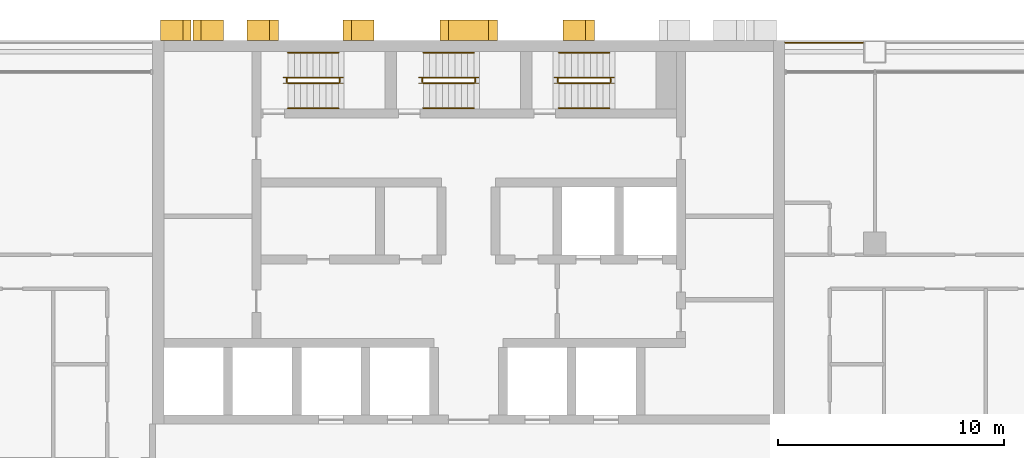
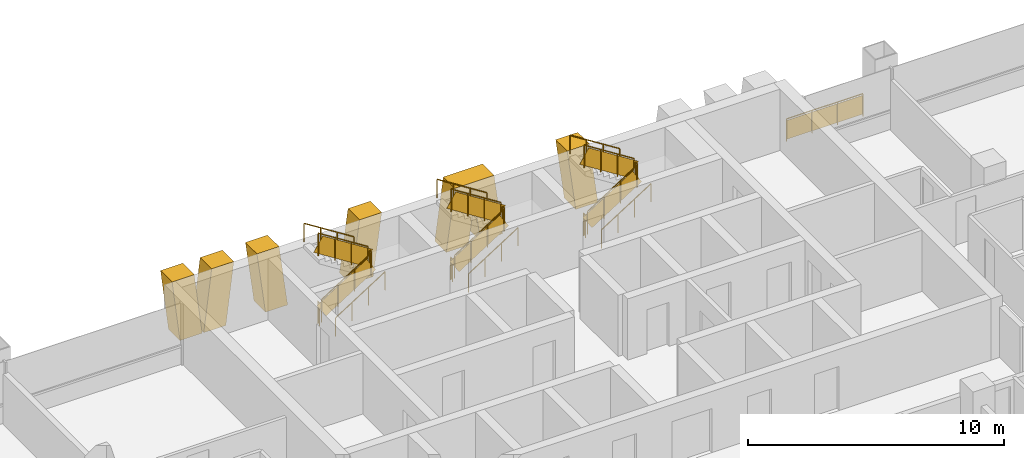
# One storey, part 18 of 19: 19 railings, 6 shading devices.
"""IFC4 building model written with IfcOpenShell, lengths in metres."""

from ifc_helpers import new_model, si_unit, direction, frame, origin, origin_2d, place, context, subcontext, project, spatial, polyline, rectangle, circle, outline, extrude, material, layer, layer_set, type_object, element, save


model = new_model("IFC4")

# Units and contexts
model_context = context("Model", 3, precision=1e-05, world=origin(), true_north=direction((0.0, 1.0)))
body_context = subcontext(model_context, "Body", "Model", "MODEL_VIEW")
ifc_project = project(units=[si_unit("LENGTHUNIT", "METRE"), si_unit("AREAUNIT", "SQUARE_METRE"), si_unit("VOLUMEUNIT", "CUBIC_METRE"), si_unit("PLANEANGLEUNIT", "RADIAN"), si_unit("MASSUNIT", "GRAM", prefix="KILO")], contexts=[model_context])

# Site, building, storey
site_placement = place(None, origin())
site = spatial("IfcSite", under=ifc_project, at=site_placement, CompositionType="ELEMENT")
building_placement = place(site_placement, origin())
building = spatial("IfcBuilding", under=site, at=building_placement, Name="Vidyagriha Tower", CompositionType="ELEMENT")
storey_placement = place(building_placement, frame((0.0, 0.0, 57.60009765625)))
storey = spatial("IfcBuildingStorey", under=building, at=storey_placement, Name="L15", CompositionType="ELEMENT", Elevation=57.60009765625)

# Shading devices
ifc_material_1 = material(Name="Precast concrete C40/50 with brick facing", Category="concrete")
ifc_layer_1 = layer(ifc_material_1, 1.0)
ifc_layer_set_1 = layer_set([ifc_layer_1], Name="Precast concrete C40/50 with brick facing")
shading_device_type_1 = type_object("IfcShadingDeviceType", Name="Brick-faced rear rib arm leaning 8 degrees", PredefinedType="USERDEFINED", material=ifc_layer_set_1)
for number, where, z_axis, x_axis, name in (
    (1, (5.5712890625, 20.449951171875, 0.0), (0.0, 0.0, 1.0), (-1.0, 0.0, 0.0), "Rear rib arm L15 R08.2a"),
    (2, (-8.4287109375, 20.449951171875, 0.0), (0.0, 0.0, 1.0), (-1.0, 0.0, 0.0), "Rear rib arm L15 R08.4a"),
):
    element("IfcShadingDevice", number, at=place(storey_placement, frame(where, z_axis=z_axis, x_axis=x_axis)), inside=storey, type_object=shading_device_type_1, Name=name, ObjectType="BLADE FIN", PredefinedType="USERDEFINED", context=body_context, shape_type="SweptSolid", body=[
        extrude(outline(polyline([(0.0, 0.0), (1.0, 0.0), (1.3857421875, 2.919921875), (0.3857421875, 2.919921875), (0.0, 0.0)])), frame((0.0, 0.449951171875, 0.0), z_axis=(0.0, -1.0, 0.0), x_axis=(1.0, 0.0, 0.0)), (0.0, 0.0, 1.0), 0.89990234375),
    ])
shading_device_1_placement = place(storey_placement, frame((-4.185791015625, 20.449951171875, 0.0), z_axis=(0.0, 0.0, 1.0), x_axis=(-1.0, 0.0, 0.0)))
element("IfcShadingDevice", 3, at=shading_device_1_placement, inside=storey, type_object=shading_device_type_1, Name="Rear rib arm L15 R08.4b", ObjectType="BLADE FIN", PredefinedType="USERDEFINED", context=body_context, shape_type="SweptSolid", body=[
    extrude(outline(polyline([(0.3857421875, 0.0), (1.3857421875, 0.0), (1.0, 2.919921875), (0.0, 2.919921875), (0.3857421875, 0.0)])), frame((0.0, 0.449951171875, 0.0), z_axis=(0.0, -1.0, 0.0), x_axis=(1.0, 0.0, 0.0)), (0.0, 0.0, 1.0), 0.89990234375),
])
shading_device_2_placement = place(storey_placement, frame((-12.28564453125, 20.449951171875, 0.0), z_axis=(0.0, 0.0, 1.0), x_axis=(-1.0, 0.0, 0.0)))
element("IfcShadingDevice", 4, at=shading_device_2_placement, inside=storey, type_object=shading_device_type_1, Name="Rear rib arm L15 R08.5a", ObjectType="BLADE FIN", PredefinedType="USERDEFINED", context=body_context, shape_type="SweptSolid", body=[
    extrude(outline(polyline([(0.0, 0.0), (1.0, 0.0), (1.357177734375, 2.919921875), (0.357177734375, 2.919921875), (0.0, 0.0)])), frame((0.0, 0.449951171875, 0.0), z_axis=(0.0, -1.0, 0.0), x_axis=(1.0, 0.0, 0.0)), (0.0, 0.0, 1.0), 0.89990234375),
])
shading_device_3_placement = place(storey_placement, frame((-10.857177734375, 20.449951171875, 0.0), z_axis=(0.0, 0.0, 1.0), x_axis=(-1.0, 0.0, 0.0)))
element("IfcShadingDevice", 5, at=shading_device_3_placement, inside=storey, type_object=shading_device_type_1, Name="Rear rib arm L15 R08.5b", ObjectType="BLADE FIN", PredefinedType="USERDEFINED", context=body_context, shape_type="SweptSolid", body=[
    extrude(outline(polyline([(0.357177734375, 0.0), (1.357177734375, 0.0), (1.0, 2.919921875), (0.0, 2.919921875), (0.357177734375, 0.0)])), frame((0.0, 0.449951171875, 0.0), z_axis=(0.0, -1.0, 0.0), x_axis=(1.0, 0.0, 0.0)), (0.0, 0.0, 1.0), 0.89990234375),
])
ifc_material_2 = material(Name="Precast concrete C40/50 with brick facing", Category="concrete")
ifc_layer_2 = layer(ifc_material_2, 1.0)
ifc_layer_set_2 = layer_set([ifc_layer_2], Name="Precast concrete C40/50 with brick facing")
shading_device_type_2 = type_object("IfcShadingDeviceType", Name="Brick-faced rear rib forking 8 degrees", PredefinedType="USERDEFINED", material=ifc_layer_set_2)
shading_device_4_placement = place(storey_placement, frame((1.271484375, 20.449951171875, 0.0), z_axis=(0.0, 0.0, 1.0), x_axis=(-1.0, 0.0, 0.0)))
element("IfcShadingDevice", 6, at=shading_device_4_placement, inside=storey, type_object=shading_device_type_2, Name="Rear rib fork L15 R08.3a", ObjectType="BLADE FIN", PredefinedType="USERDEFINED", context=body_context, shape_type="SweptSolid", body=[
    extrude(outline(polyline([(1.0, 0.0), (1.271484375, 2.0546875), (1.542724609375, 0.0), (2.542724609375, 0.0), (2.156982421875, 2.919921875), (0.3857421875, 2.919921875), (0.0, 0.0), (1.0, 0.0)])), frame((0.0, 0.449951171875, 0.0), z_axis=(0.0, -1.0, 0.0), x_axis=(1.0, 0.0, 0.0)), (0.0, 0.0, 1.0), 0.89990234375),
])

# Railings
ifc_material_3 = material(Name="Steel ASTM A500 Grade C black painted", Category="steel")
railing_type_1 = type_object("IfcRailingType", Name="Gallery guard 1100", PredefinedType="GUARDRAIL", material=ifc_material_3)
railing_1_placement = place(storey_placement, frame((14.030029296875, 19.89990234375, 0.0)))
element("IfcRailing", 7, at=railing_1_placement, inside=storey, type_object=railing_type_1, Name="Gallery guard L15 10", PredefinedType="GUARDRAIL", context=body_context, shape_type="SweptSolid", body=[
    extrude(circle(Radius=0.02490234375, at=origin_2d()), frame((0.0, 0.0, 1.0751953125), z_axis=(1.0, 0.0, 0.0), x_axis=(0.0, 1.0, 0.0)), (0.0, 0.0, 1.0), 3.43994140625),
    extrude(circle(Radius=0.02001953125, at=origin_2d()), origin(), (0.0, 0.0, 1.0), 1.050048828125),
    extrude(circle(Radius=0.02001953125, at=origin_2d()), frame((1.146728515625, 0.0, 0.0)), (0.0, 0.0, 1.0), 1.050048828125),
    extrude(circle(Radius=0.02001953125, at=origin_2d()), frame((2.293212890625, 0.0, 0.0)), (0.0, 0.0, 1.0), 1.050048828125),
    extrude(circle(Radius=0.02001953125, at=origin_2d()), frame((3.43994140625, 0.0, 0.0)), (0.0, 0.0, 1.0), 1.050048828125),
    extrude(rectangle(XDim=0.010009765625, YDim=0.900146484375, at=origin_2d()), frame((0.0, 0.0, 0.550048828125), z_axis=(1.0, 0.0, 0.0), x_axis=(0.0, 1.0, 0.0)), (0.0, 0.0, 1.0), 3.43994140625),
])
ifc_material_4 = material(Name="Steel ASTM A500 Grade C", Category="steel")
railing_type_2 = type_object("IfcRailingType", Name="Stair guard 1100 mm, steel balustrade", PredefinedType="GUARDRAIL", material=ifc_material_4)
railing_2_placement = place(storey_placement, frame((-8.0, 18.10009765625, 0.177734375)))
element("IfcRailing", 8, at=railing_2_placement, inside=storey, type_object=railing_type_2, Name="L15 ST1 stair guard 1", PredefinedType="GUARDRAIL", context=body_context, shape_type="SweptSolid", body=[
    extrude(circle(Radius=0.02392578125, at=origin_2d()), frame((0.0, 0.0, 1.076171875), z_axis=(0.8442293374, 0.0, 0.53598211339), x_axis=(0.0, 1.0, 0.0)), (0.0, 0.0, 1.0), 2.6533203125),
    extrude(circle(Radius=0.02099609375, at=origin_2d()), origin(), (0.0, 0.0, 1.0), 1.052001953125),
    extrude(circle(Radius=0.02099609375, at=origin_2d()), frame((0.74658203125, 0.0, 0.47412109375)), (0.0, 0.0, 1.0), 1.052001953125),
    extrude(circle(Radius=0.02099609375, at=origin_2d()), frame((1.493408203125, 0.0, 0.947998046875)), (0.0, 0.0, 1.0), 1.052001953125),
    extrude(circle(Radius=0.02099609375, at=origin_2d()), frame((2.239990234375, 0.0, 1.422119140625)), (0.0, 0.0, 1.0), 1.052001953125),
    extrude(rectangle(XDim=0.010009765625, YDim=0.761474609375, at=origin_2d()), frame((0.0, 0.0, 0.551025390625), z_axis=(0.8442293374, 0.0, 0.53598211339), x_axis=(0.0, 1.0, 0.0)), (0.0, 0.0, 1.0), 2.6533203125),
])
railing_3_placement = place(storey_placement, frame((-5.7099609375, 18.14990234375, 1.599853515625)))
element("IfcRailing", 9, at=railing_3_placement, inside=storey, type_object=railing_type_2, Name="L15 ST1 stair guard 2", PredefinedType="GUARDRAIL", context=body_context, shape_type="SweptSolid", body=[
    extrude(circle(Radius=0.02392578125, at=origin_2d()), frame((0.0, 0.0, 1.076171875), z_axis=(0.0, 1.0, 0.0), x_axis=(-1.0, 0.0, 0.0)), (0.0, 0.0, 1.0), 0.150146484375),
    extrude(circle(Radius=0.02099609375, at=origin_2d()), origin(), (0.0, 0.0, 1.0), 1.052001953125),
    extrude(circle(Radius=0.02099609375, at=origin_2d()), frame((0.0, 0.150146484375, 0.0)), (0.0, 0.0, 1.0), 1.052001953125),
    extrude(rectangle(XDim=0.010009765625, YDim=0.902099609375, at=origin_2d()), frame((0.0, 0.0, 0.551025390625), z_axis=(0.0, 1.0, 0.0), x_axis=(-1.0, 0.0, 0.0)), (0.0, 0.0, 1.0), 0.150146484375),
])
railing_4_placement = place(storey_placement, frame((-5.760009765625, 18.35009765625, 1.777587890625)))
element("IfcRailing", 10, at=railing_4_placement, inside=storey, type_object=railing_type_2, Name="L15 ST1 stair guard 3", PredefinedType="GUARDRAIL", context=body_context, shape_type="SweptSolid", body=[
    extrude(circle(Radius=0.02392578125, at=origin_2d()), frame((0.0, 0.0, 1.076171875), z_axis=(-0.84418770128, 0.0, 0.536047689118), x_axis=(0.0, -1.0, 0.0)), (0.0, 0.0, 1.0), 2.6533203125),
    extrude(circle(Radius=0.02099609375, at=origin_2d()), origin(), (0.0, 0.0, 1.0), 1.052001953125),
    extrude(circle(Radius=0.02099609375, at=origin_2d()), frame((-0.74658203125, 0.0, 0.47412109375)), (0.0, 0.0, 1.0), 1.052001953125),
    extrude(circle(Radius=0.02099609375, at=origin_2d()), frame((-1.493408203125, 0.0, 0.9482421875)), (0.0, 0.0, 1.0), 1.052001953125),
    extrude(circle(Radius=0.02099609375, at=origin_2d()), frame((-2.239990234375, 0.0, 1.42236328125)), (0.0, 0.0, 1.0), 1.052001953125),
    extrude(rectangle(XDim=0.010009765625, YDim=0.761474609375, at=origin_2d()), frame((0.0, 0.0, 0.551025390625), z_axis=(-0.84418770128, 0.0, 0.536047689118), x_axis=(0.0, -1.0, 0.0)), (0.0, 0.0, 1.0), 2.6533203125),
])
railing_5_placement = place(storey_placement, frame((-8.050048828125, 18.14990234375, 0.0)))
element("IfcRailing", 11, at=railing_5_placement, inside=storey, type_object=railing_type_2, Name="L15 ST1 stair guard 4", PredefinedType="GUARDRAIL", context=body_context, shape_type="SweptSolid", body=[
    extrude(circle(Radius=0.02392578125, at=origin_2d()), frame((0.0, 0.0, 1.076171875), z_axis=(0.0, 1.0, 0.0), x_axis=(-1.0, 0.0, 0.0)), (0.0, 0.0, 1.0), 0.150146484375),
    extrude(circle(Radius=0.02099609375, at=origin_2d()), origin(), (0.0, 0.0, 1.0), 1.052001953125),
    extrude(circle(Radius=0.02099609375, at=origin_2d()), frame((0.0, 0.150146484375, 0.0)), (0.0, 0.0, 1.0), 1.052001953125),
    extrude(rectangle(XDim=0.010009765625, YDim=0.902099609375, at=origin_2d()), frame((0.0, 0.0, 0.551025390625), z_axis=(0.0, 1.0, 0.0), x_axis=(-1.0, 0.0, 0.0)), (0.0, 0.0, 1.0), 0.150146484375),
])
railing_6_placement = place(storey_placement, frame((-2.0, 18.10009765625, 0.177734375)))
element("IfcRailing", 12, at=railing_6_placement, inside=storey, type_object=railing_type_2, Name="L15 ST2 stair guard 1", PredefinedType="GUARDRAIL", context=body_context, shape_type="SweptSolid", body=[
    extrude(circle(Radius=0.02392578125, at=origin_2d()), frame((0.0, 0.0, 1.076171875), z_axis=(0.8442293374, 0.0, 0.53598211339), x_axis=(0.0, 1.0, 0.0)), (0.0, 0.0, 1.0), 2.6533203125),
    extrude(circle(Radius=0.02099609375, at=origin_2d()), origin(), (0.0, 0.0, 1.0), 1.052001953125),
    extrude(circle(Radius=0.02099609375, at=origin_2d()), frame((0.74658203125, 0.0, 0.47412109375)), (0.0, 0.0, 1.0), 1.052001953125),
    extrude(circle(Radius=0.02099609375, at=origin_2d()), frame((1.493408203125, 0.0, 0.947998046875)), (0.0, 0.0, 1.0), 1.052001953125),
    extrude(circle(Radius=0.02099609375, at=origin_2d()), frame((2.239990234375, 0.0, 1.422119140625)), (0.0, 0.0, 1.0), 1.052001953125),
    extrude(rectangle(XDim=0.010009765625, YDim=0.761474609375, at=origin_2d()), frame((0.0, 0.0, 0.551025390625), z_axis=(0.8442293374, 0.0, 0.53598211339), x_axis=(0.0, 1.0, 0.0)), (0.0, 0.0, 1.0), 2.6533203125),
])
railing_7_placement = place(storey_placement, frame((0.2900390625, 18.14990234375, 1.599853515625)))
element("IfcRailing", 13, at=railing_7_placement, inside=storey, type_object=railing_type_2, Name="L15 ST2 stair guard 2", PredefinedType="GUARDRAIL", context=body_context, shape_type="SweptSolid", body=[
    extrude(circle(Radius=0.02392578125, at=origin_2d()), frame((0.0, 0.0, 1.076171875), z_axis=(0.0, 1.0, 0.0), x_axis=(-1.0, 0.0, 0.0)), (0.0, 0.0, 1.0), 0.150146484375),
    extrude(circle(Radius=0.02099609375, at=origin_2d()), origin(), (0.0, 0.0, 1.0), 1.052001953125),
    extrude(circle(Radius=0.02099609375, at=origin_2d()), frame((0.0, 0.150146484375, 0.0)), (0.0, 0.0, 1.0), 1.052001953125),
    extrude(rectangle(XDim=0.010009765625, YDim=0.902099609375, at=origin_2d()), frame((0.0, 0.0, 0.551025390625), z_axis=(0.0, 1.0, 0.0), x_axis=(-1.0, 0.0, 0.0)), (0.0, 0.0, 1.0), 0.150146484375),
])
railing_8_placement = place(storey_placement, frame((0.239990234375, 18.35009765625, 1.777587890625)))
element("IfcRailing", 14, at=railing_8_placement, inside=storey, type_object=railing_type_2, Name="L15 ST2 stair guard 3", PredefinedType="GUARDRAIL", context=body_context, shape_type="SweptSolid", body=[
    extrude(circle(Radius=0.02392578125, at=origin_2d()), frame((0.0, 0.0, 1.076171875), z_axis=(-0.84418770128, 0.0, 0.536047689118), x_axis=(0.0, -1.0, 0.0)), (0.0, 0.0, 1.0), 2.6533203125),
    extrude(circle(Radius=0.02099609375, at=origin_2d()), origin(), (0.0, 0.0, 1.0), 1.052001953125),
    extrude(circle(Radius=0.02099609375, at=origin_2d()), frame((-0.74658203125, 0.0, 0.47412109375)), (0.0, 0.0, 1.0), 1.052001953125),
    extrude(circle(Radius=0.02099609375, at=origin_2d()), frame((-1.493408203125, 0.0, 0.9482421875)), (0.0, 0.0, 1.0), 1.052001953125),
    extrude(circle(Radius=0.02099609375, at=origin_2d()), frame((-2.239990234375, 0.0, 1.42236328125)), (0.0, 0.0, 1.0), 1.052001953125),
    extrude(rectangle(XDim=0.010009765625, YDim=0.761474609375, at=origin_2d()), frame((0.0, 0.0, 0.551025390625), z_axis=(-0.84418770128, 0.0, 0.536047689118), x_axis=(0.0, -1.0, 0.0)), (0.0, 0.0, 1.0), 2.6533203125),
])
railing_9_placement = place(storey_placement, frame((-2.050048828125, 18.14990234375, 0.0)))
element("IfcRailing", 15, at=railing_9_placement, inside=storey, type_object=railing_type_2, Name="L15 ST2 stair guard 4", PredefinedType="GUARDRAIL", context=body_context, shape_type="SweptSolid", body=[
    extrude(circle(Radius=0.02392578125, at=origin_2d()), frame((0.0, 0.0, 1.076171875), z_axis=(0.0, 1.0, 0.0), x_axis=(-1.0, 0.0, 0.0)), (0.0, 0.0, 1.0), 0.150146484375),
    extrude(circle(Radius=0.02099609375, at=origin_2d()), origin(), (0.0, 0.0, 1.0), 1.052001953125),
    extrude(circle(Radius=0.02099609375, at=origin_2d()), frame((0.0, 0.150146484375, 0.0)), (0.0, 0.0, 1.0), 1.052001953125),
    extrude(rectangle(XDim=0.010009765625, YDim=0.902099609375, at=origin_2d()), frame((0.0, 0.0, 0.551025390625), z_axis=(0.0, 1.0, 0.0), x_axis=(-1.0, 0.0, 0.0)), (0.0, 0.0, 1.0), 0.150146484375),
])
railing_10_placement = place(storey_placement, frame((4.0, 18.10009765625, 0.177734375)))
element("IfcRailing", 16, at=railing_10_placement, inside=storey, type_object=railing_type_2, Name="L15 ST3 stair guard 1", PredefinedType="GUARDRAIL", context=body_context, shape_type="SweptSolid", body=[
    extrude(circle(Radius=0.02392578125, at=origin_2d()), frame((0.0, 0.0, 1.076171875), z_axis=(0.8442293374, 0.0, 0.53598211339), x_axis=(0.0, 1.0, 0.0)), (0.0, 0.0, 1.0), 2.6533203125),
    extrude(circle(Radius=0.02099609375, at=origin_2d()), origin(), (0.0, 0.0, 1.0), 1.052001953125),
    extrude(circle(Radius=0.02099609375, at=origin_2d()), frame((0.74658203125, 0.0, 0.47412109375)), (0.0, 0.0, 1.0), 1.052001953125),
    extrude(circle(Radius=0.02099609375, at=origin_2d()), frame((1.493408203125, 0.0, 0.947998046875)), (0.0, 0.0, 1.0), 1.052001953125),
    extrude(circle(Radius=0.02099609375, at=origin_2d()), frame((2.239990234375, 0.0, 1.422119140625)), (0.0, 0.0, 1.0), 1.052001953125),
    extrude(rectangle(XDim=0.010009765625, YDim=0.761474609375, at=origin_2d()), frame((0.0, 0.0, 0.551025390625), z_axis=(0.8442293374, 0.0, 0.53598211339), x_axis=(0.0, 1.0, 0.0)), (0.0, 0.0, 1.0), 2.6533203125),
])
railing_11_placement = place(storey_placement, frame((6.2900390625, 18.14990234375, 1.599853515625)))
element("IfcRailing", 17, at=railing_11_placement, inside=storey, type_object=railing_type_2, Name="L15 ST3 stair guard 2", PredefinedType="GUARDRAIL", context=body_context, shape_type="SweptSolid", body=[
    extrude(circle(Radius=0.02392578125, at=origin_2d()), frame((0.0, 0.0, 1.076171875), z_axis=(0.0, 1.0, 0.0), x_axis=(-1.0, 0.0, 0.0)), (0.0, 0.0, 1.0), 0.150146484375),
    extrude(circle(Radius=0.02099609375, at=origin_2d()), origin(), (0.0, 0.0, 1.0), 1.052001953125),
    extrude(circle(Radius=0.02099609375, at=origin_2d()), frame((0.0, 0.150146484375, 0.0)), (0.0, 0.0, 1.0), 1.052001953125),
    extrude(rectangle(XDim=0.010009765625, YDim=0.902099609375, at=origin_2d()), frame((0.0, 0.0, 0.551025390625), z_axis=(0.0, 1.0, 0.0), x_axis=(-1.0, 0.0, 0.0)), (0.0, 0.0, 1.0), 0.150146484375),
])
railing_12_placement = place(storey_placement, frame((6.239990234375, 18.35009765625, 1.777587890625)))
element("IfcRailing", 18, at=railing_12_placement, inside=storey, type_object=railing_type_2, Name="L15 ST3 stair guard 3", PredefinedType="GUARDRAIL", context=body_context, shape_type="SweptSolid", body=[
    extrude(circle(Radius=0.02392578125, at=origin_2d()), frame((0.0, 0.0, 1.076171875), z_axis=(-0.84418770128, 0.0, 0.536047689118), x_axis=(0.0, -1.0, 0.0)), (0.0, 0.0, 1.0), 2.6533203125),
    extrude(circle(Radius=0.02099609375, at=origin_2d()), origin(), (0.0, 0.0, 1.0), 1.052001953125),
    extrude(circle(Radius=0.02099609375, at=origin_2d()), frame((-0.74658203125, 0.0, 0.47412109375)), (0.0, 0.0, 1.0), 1.052001953125),
    extrude(circle(Radius=0.02099609375, at=origin_2d()), frame((-1.493408203125, 0.0, 0.9482421875)), (0.0, 0.0, 1.0), 1.052001953125),
    extrude(circle(Radius=0.02099609375, at=origin_2d()), frame((-2.239990234375, 0.0, 1.42236328125)), (0.0, 0.0, 1.0), 1.052001953125),
    extrude(rectangle(XDim=0.010009765625, YDim=0.761474609375, at=origin_2d()), frame((0.0, 0.0, 0.551025390625), z_axis=(-0.84418770128, 0.0, 0.536047689118), x_axis=(0.0, -1.0, 0.0)), (0.0, 0.0, 1.0), 2.6533203125),
])
railing_13_placement = place(storey_placement, frame((3.949951171875, 18.14990234375, 0.0)))
element("IfcRailing", 19, at=railing_13_placement, inside=storey, type_object=railing_type_2, Name="L15 ST3 stair guard 4", PredefinedType="GUARDRAIL", context=body_context, shape_type="SweptSolid", body=[
    extrude(circle(Radius=0.02392578125, at=origin_2d()), frame((0.0, 0.0, 1.076171875), z_axis=(0.0, 1.0, 0.0), x_axis=(-1.0, 0.0, 0.0)), (0.0, 0.0, 1.0), 0.150146484375),
    extrude(circle(Radius=0.02099609375, at=origin_2d()), origin(), (0.0, 0.0, 1.0), 1.052001953125),
    extrude(circle(Radius=0.02099609375, at=origin_2d()), frame((0.0, 0.150146484375, 0.0)), (0.0, 0.0, 1.0), 1.052001953125),
    extrude(rectangle(XDim=0.010009765625, YDim=0.902099609375, at=origin_2d()), frame((0.0, 0.0, 0.551025390625), z_axis=(0.0, 1.0, 0.0), x_axis=(-1.0, 0.0, 0.0)), (0.0, 0.0, 1.0), 0.150146484375),
])
ifc_material_5 = material(Name="Steel ASTM A500 Grade C", Category="steel")
railing_type_3 = type_object("IfcRailingType", Name="Stair handrail 900 mm, steel", PredefinedType="HANDRAIL", material=ifc_material_5)
railing_14_placement = place(storey_placement, frame((-8.0, 17.0, 0.177734375)))
element("IfcRailing", 20, at=railing_14_placement, inside=storey, type_object=railing_type_3, Name="L15 ST1 stair handrail 1", PredefinedType="HANDRAIL", context=body_context, shape_type="SweptSolid", body=[
    extrude(circle(Radius=0.02392578125, at=origin_2d()), frame((0.0, 0.0, 0.8759765625), z_axis=(0.8442293374, 0.0, 0.53598211339), x_axis=(0.0, 1.0, 0.0)), (0.0, 0.0, 1.0), 2.6533203125),
    extrude(circle(Radius=0.02099609375, at=origin_2d()), origin(), (0.0, 0.0, 1.0), 0.851806640625),
    extrude(circle(Radius=0.02099609375, at=origin_2d()), frame((0.74658203125, 0.0, 0.47412109375)), (0.0, 0.0, 1.0), 0.851806640625),
    extrude(circle(Radius=0.02099609375, at=origin_2d()), frame((1.493408203125, 0.0, 0.947998046875)), (0.0, 0.0, 1.0), 0.851806640625),
    extrude(circle(Radius=0.02099609375, at=origin_2d()), frame((2.239990234375, 0.0, 1.422119140625)), (0.0, 0.0, 1.0), 0.851806640625),
])
railing_15_placement = place(storey_placement, frame((-5.760009765625, 19.449951171875, 1.777587890625)))
element("IfcRailing", 21, at=railing_15_placement, inside=storey, type_object=railing_type_3, Name="L15 ST1 stair handrail 2", PredefinedType="HANDRAIL", context=body_context, shape_type="SweptSolid", body=[
    extrude(circle(Radius=0.02392578125, at=origin_2d()), frame((0.0, 0.0, 0.8759765625), z_axis=(-0.84418770128, 0.0, 0.536047689118), x_axis=(0.0, -1.0, 0.0)), (0.0, 0.0, 1.0), 2.6533203125),
    extrude(circle(Radius=0.02099609375, at=origin_2d()), origin(), (0.0, 0.0, 1.0), 0.851806640625),
    extrude(circle(Radius=0.02099609375, at=origin_2d()), frame((-0.74658203125, 0.0, 0.47412109375)), (0.0, 0.0, 1.0), 0.851806640625),
    extrude(circle(Radius=0.02099609375, at=origin_2d()), frame((-1.493408203125, 0.0, 0.9482421875)), (0.0, 0.0, 1.0), 0.851806640625),
    extrude(circle(Radius=0.02099609375, at=origin_2d()), frame((-2.239990234375, 0.0, 1.42236328125)), (0.0, 0.0, 1.0), 0.851806640625),
])
railing_16_placement = place(storey_placement, frame((-2.0, 17.0, 0.177734375)))
element("IfcRailing", 22, at=railing_16_placement, inside=storey, type_object=railing_type_3, Name="L15 ST2 stair handrail 1", PredefinedType="HANDRAIL", context=body_context, shape_type="SweptSolid", body=[
    extrude(circle(Radius=0.02392578125, at=origin_2d()), frame((0.0, 0.0, 0.8759765625), z_axis=(0.8442293374, 0.0, 0.53598211339), x_axis=(0.0, 1.0, 0.0)), (0.0, 0.0, 1.0), 2.6533203125),
    extrude(circle(Radius=0.02099609375, at=origin_2d()), origin(), (0.0, 0.0, 1.0), 0.851806640625),
    extrude(circle(Radius=0.02099609375, at=origin_2d()), frame((0.74658203125, 0.0, 0.47412109375)), (0.0, 0.0, 1.0), 0.851806640625),
    extrude(circle(Radius=0.02099609375, at=origin_2d()), frame((1.493408203125, 0.0, 0.947998046875)), (0.0, 0.0, 1.0), 0.851806640625),
    extrude(circle(Radius=0.02099609375, at=origin_2d()), frame((2.239990234375, 0.0, 1.422119140625)), (0.0, 0.0, 1.0), 0.851806640625),
])
railing_17_placement = place(storey_placement, frame((0.239990234375, 19.449951171875, 1.777587890625)))
element("IfcRailing", 23, at=railing_17_placement, inside=storey, type_object=railing_type_3, Name="L15 ST2 stair handrail 2", PredefinedType="HANDRAIL", context=body_context, shape_type="SweptSolid", body=[
    extrude(circle(Radius=0.02392578125, at=origin_2d()), frame((0.0, 0.0, 0.8759765625), z_axis=(-0.84418770128, 0.0, 0.536047689118), x_axis=(0.0, -1.0, 0.0)), (0.0, 0.0, 1.0), 2.6533203125),
    extrude(circle(Radius=0.02099609375, at=origin_2d()), origin(), (0.0, 0.0, 1.0), 0.851806640625),
    extrude(circle(Radius=0.02099609375, at=origin_2d()), frame((-0.74658203125, 0.0, 0.47412109375)), (0.0, 0.0, 1.0), 0.851806640625),
    extrude(circle(Radius=0.02099609375, at=origin_2d()), frame((-1.493408203125, 0.0, 0.9482421875)), (0.0, 0.0, 1.0), 0.851806640625),
    extrude(circle(Radius=0.02099609375, at=origin_2d()), frame((-2.239990234375, 0.0, 1.42236328125)), (0.0, 0.0, 1.0), 0.851806640625),
])
railing_18_placement = place(storey_placement, frame((4.0, 17.0, 0.177734375)))
element("IfcRailing", 24, at=railing_18_placement, inside=storey, type_object=railing_type_3, Name="L15 ST3 stair handrail 1", PredefinedType="HANDRAIL", context=body_context, shape_type="SweptSolid", body=[
    extrude(circle(Radius=0.02392578125, at=origin_2d()), frame((0.0, 0.0, 0.8759765625), z_axis=(0.8442293374, 0.0, 0.53598211339), x_axis=(0.0, 1.0, 0.0)), (0.0, 0.0, 1.0), 2.6533203125),
    extrude(circle(Radius=0.02099609375, at=origin_2d()), origin(), (0.0, 0.0, 1.0), 0.851806640625),
    extrude(circle(Radius=0.02099609375, at=origin_2d()), frame((0.74658203125, 0.0, 0.47412109375)), (0.0, 0.0, 1.0), 0.851806640625),
    extrude(circle(Radius=0.02099609375, at=origin_2d()), frame((1.493408203125, 0.0, 0.947998046875)), (0.0, 0.0, 1.0), 0.851806640625),
    extrude(circle(Radius=0.02099609375, at=origin_2d()), frame((2.239990234375, 0.0, 1.422119140625)), (0.0, 0.0, 1.0), 0.851806640625),
])
railing_19_placement = place(storey_placement, frame((6.239990234375, 19.449951171875, 1.777587890625)))
element("IfcRailing", 25, at=railing_19_placement, inside=storey, type_object=railing_type_3, Name="L15 ST3 stair handrail 2", PredefinedType="HANDRAIL", context=body_context, shape_type="SweptSolid", body=[
    extrude(circle(Radius=0.02392578125, at=origin_2d()), frame((0.0, 0.0, 0.8759765625), z_axis=(-0.84418770128, 0.0, 0.536047689118), x_axis=(0.0, -1.0, 0.0)), (0.0, 0.0, 1.0), 2.6533203125),
    extrude(circle(Radius=0.02099609375, at=origin_2d()), origin(), (0.0, 0.0, 1.0), 0.851806640625),
    extrude(circle(Radius=0.02099609375, at=origin_2d()), frame((-0.74658203125, 0.0, 0.47412109375)), (0.0, 0.0, 1.0), 0.851806640625),
    extrude(circle(Radius=0.02099609375, at=origin_2d()), frame((-1.493408203125, 0.0, 0.9482421875)), (0.0, 0.0, 1.0), 0.851806640625),
    extrude(circle(Radius=0.02099609375, at=origin_2d()), frame((-2.239990234375, 0.0, 1.42236328125)), (0.0, 0.0, 1.0), 0.851806640625),
])

save(model, "model.ifc")
